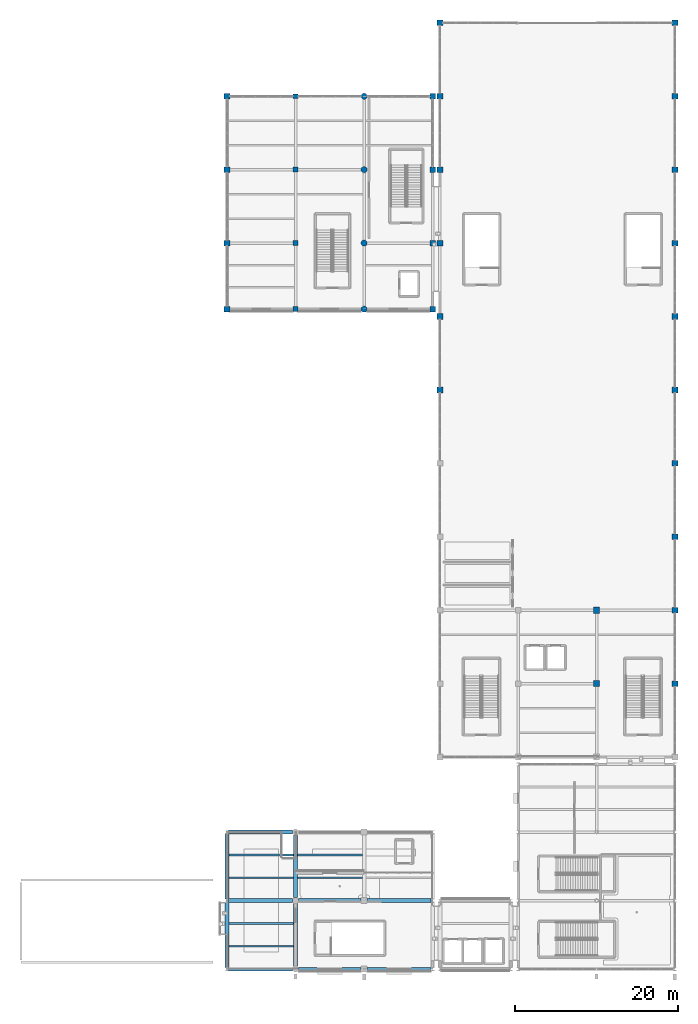
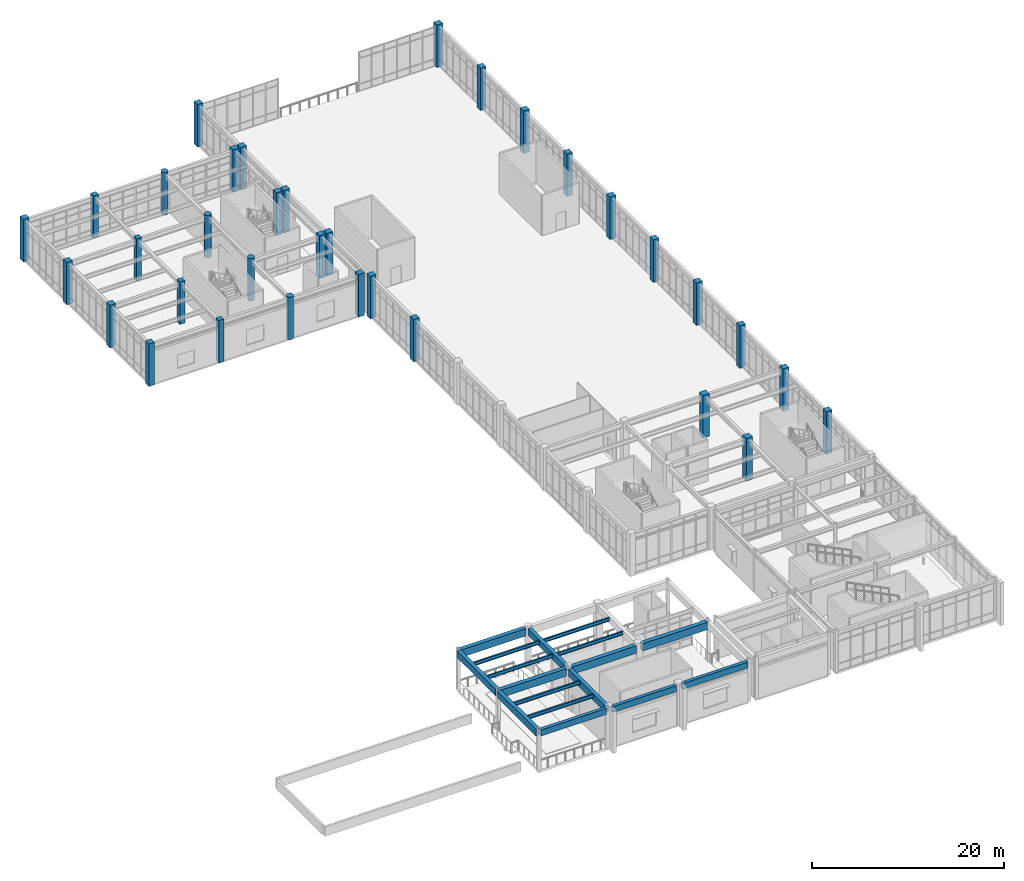
# One storey, part 4 of 80: 34 columns, 17 beams.
"""IFC4 building model written with IfcOpenShell, lengths in metres."""

from ifc_helpers import new_model, si_unit, direction, frame, origin, origin_2d, place, context, subcontext, project, spatial, rectangle, circle, i_section, extrude, material, material_profile, profile_set, type_object, element, save


model = new_model("IFC4")

# Units and contexts
model_context = context("Model", 3, precision=1e-05, world=origin(), true_north=direction((0.0, 1.0)))
body_context = subcontext(model_context, "Body", "Model", "MODEL_VIEW")
ifc_project = project(units=[si_unit("LENGTHUNIT", "METRE"), si_unit("AREAUNIT", "SQUARE_METRE"), si_unit("VOLUMEUNIT", "CUBIC_METRE"), si_unit("PLANEANGLEUNIT", "RADIAN"), si_unit("MASSUNIT", "GRAM", prefix="KILO")], contexts=[model_context])

# Site, building, storey
site_placement = place(None, origin())
site = spatial("IfcSite", under=ifc_project, at=site_placement, CompositionType="ELEMENT")
building_placement = place(site_placement, origin())
building = spatial("IfcBuilding", under=site, at=building_placement, Name="Canglan Escarpment Cableway Terminal", CompositionType="ELEMENT")
storey_placement = place(building_placement, frame((0.0, 0.0, 19.199951171875)))
storey = spatial("IfcBuildingStorey", under=building, at=storey_placement, Name="L04", CompositionType="ELEMENT", Elevation=19.199951171875)

# Columns
ifc_material_1 = material(Name="Concrete C40", Category="concrete")
ifc_material_profile_1 = material_profile(ifc_material_1, rectangle(XDim=0.60009765625, YDim=0.60009765625, at=origin_2d()), Name="RC 600x600")
ifc_profile_set_1 = profile_set([ifc_material_profile_1], Name="Concrete C40")
column_type_1 = type_object("IfcColumnType", Name="COL-RC600-C40", PredefinedType="COLUMN", material=ifc_profile_set_1)
for number, where, z_axis, x_axis, name in (
    (1, (119.89990234375, 88.89990234375, 0.0), (0.0, 0.0, 1.0), (1.0, 0.0, 0.0), "Structural column C-05"),
    (2, (119.89990234375, 97.0, 0.0), (0.0, 0.0, 1.0), (1.0, 0.0, 0.0), "Structural column C-05"),
    (3, (119.89990234375, 106.0, 0.0), (0.0, 0.0, 1.0), (1.0, 0.0, 0.0), "Structural column C-05"),
    (4, (119.89990234375, 115.0, 0.0), (0.0, 0.0, 1.0), (1.0, 0.0, 0.0), "Structural column C-05"),
):
    element("IfcColumn", number, at=place(storey_placement, frame(where, z_axis=z_axis, x_axis=x_axis)), inside=storey, type_object=column_type_1, Name=name, PredefinedType="COLUMN", context=body_context, shape_type="SweptSolid", body=[
        extrude(rectangle(XDim=0.60009765625, YDim=0.60009765625, at=origin_2d()), origin(), (0.0, 0.0, 1.0), 5.400146484375),
    ])
ifc_material_profile_2 = material_profile(ifc_material_1, rectangle(XDim=0.699951171875, YDim=0.699951171875, at=origin_2d()), Name="RC 700x700")
ifc_profile_set_2 = profile_set([ifc_material_profile_2], Name="Concrete C40")
column_type_2 = type_object("IfcColumnType", Name="COL-RC700-C40", PredefinedType="COLUMN", material=ifc_profile_set_2)
for number, where, z_axis, x_axis, name in (
    (5, (111.5, 88.89990234375, 0.0), (0.0, 0.0, 1.0), (1.0, 0.0, 0.0), "Structural column C-04"),
    (6, (111.5, 97.0, 0.0), (0.0, 0.0, 1.0), (1.0, 0.0, 0.0), "Structural column C-04"),
    (7, (111.5, 106.0, 0.0), (0.0, 0.0, 1.0), (1.0, 0.0, 0.0), "Structural column C-04"),
    (8, (111.5, 115.0, 0.0), (0.0, 0.0, 1.0), (1.0, 0.0, 0.0), "Structural column C-04"),
    (9, (136.699951171875, 88.89990234375, 0.0), (0.0, 0.0, 1.0), (1.0, 0.0, 0.0), "Structural column C-04"),
    (10, (136.699951171875, 97.0, 0.0), (0.0, 0.0, 1.0), (1.0, 0.0, 0.0), "Structural column C-04"),
    (11, (136.699951171875, 106.0, 0.0), (0.0, 0.0, 1.0), (1.0, 0.0, 0.0), "Structural column C-04"),
    (12, (136.699951171875, 115.0, 0.0), (0.0, 0.0, 1.0), (1.0, 0.0, 0.0), "Structural column C-04"),
    (13, (137.60009765625, 79.0, 0.0), (0.0, 0.0, 1.0), (1.0, 0.0, 0.0), "Structural column C-04"),
    (14, (137.60009765625, 88.0, 0.0), (0.0, 0.0, 1.0), (1.0, 0.0, 0.0), "Structural column C-04"),
    (15, (137.60009765625, 97.0, 0.0), (0.0, 0.0, 1.0), (1.0, 0.0, 0.0), "Structural column C-04"),
    (16, (137.60009765625, 106.0, 0.0), (0.0, 0.0, 1.0), (1.0, 0.0, 0.0), "Structural column C-04"),
    (17, (137.60009765625, 115.0, 0.0), (0.0, 0.0, 1.0), (1.0, 0.0, 0.0), "Structural column C-04"),
    (18, (137.60009765625, 124.0, 0.0), (0.0, 0.0, 1.0), (1.0, 0.0, 0.0), "Structural column C-04"),
    (19, (166.39990234375, 43.0, 0.0), (0.0, 0.0, 1.0), (1.0, 0.0, 0.0), "Structural column C-04"),
    (20, (166.39990234375, 52.0, 0.0), (0.0, 0.0, 1.0), (1.0, 0.0, 0.0), "Structural column C-04"),
    (21, (166.39990234375, 61.0, 0.0), (0.0, 0.0, 1.0), (1.0, 0.0, 0.0), "Structural column C-04"),
    (22, (166.39990234375, 70.0, 0.0), (0.0, 0.0, 1.0), (1.0, 0.0, 0.0), "Structural column C-04"),
    (23, (166.39990234375, 79.0, 0.0), (0.0, 0.0, 1.0), (1.0, 0.0, 0.0), "Structural column C-04"),
    (24, (166.39990234375, 88.0, 0.0), (0.0, 0.0, 1.0), (1.0, 0.0, 0.0), "Structural column C-04"),
    (25, (166.39990234375, 97.0, 0.0), (0.0, 0.0, 1.0), (1.0, 0.0, 0.0), "Structural column C-04"),
    (26, (166.39990234375, 106.0, 0.0), (0.0, 0.0, 1.0), (1.0, 0.0, 0.0), "Structural column C-04"),
    (27, (166.39990234375, 115.0, 0.0), (0.0, 0.0, 1.0), (1.0, 0.0, 0.0), "Structural column C-04"),
    (28, (166.39990234375, 124.0, 0.0), (0.0, 0.0, 1.0), (1.0, 0.0, 0.0), "Structural column C-04"),
):
    element("IfcColumn", number, at=place(storey_placement, frame(where, z_axis=z_axis, x_axis=x_axis)), inside=storey, type_object=column_type_2, Name=name, PredefinedType="COLUMN", context=body_context, shape_type="SweptSolid", body=[
        extrude(rectangle(XDim=0.699951171875, YDim=0.699951171875, at=origin_2d()), origin(), (0.0, 0.0, 1.0), 5.400146484375),
    ])
ifc_material_profile_3 = material_profile(ifc_material_1, rectangle(XDim=0.75, YDim=0.75, at=origin_2d()), Name="RC 750x750")
ifc_profile_set_3 = profile_set([ifc_material_profile_3], Name="Concrete C40")
column_type_3 = type_object("IfcColumnType", Name="COL-RC750-C40", PredefinedType="COLUMN", material=ifc_profile_set_3)
for number, where, z_axis, x_axis, name in (
    (29, (156.800048828125, 43.0, 0.0), (0.0, 0.0, 1.0), (1.0, 0.0, 0.0), "Structural column C-03"),
    (30, (156.800048828125, 52.0, 0.0), (0.0, 0.0, 1.0), (1.0, 0.0, 0.0), "Structural column C-03"),
):
    element("IfcColumn", number, at=place(storey_placement, frame(where, z_axis=z_axis, x_axis=x_axis)), inside=storey, type_object=column_type_3, Name=name, PredefinedType="COLUMN", context=body_context, shape_type="SweptSolid", body=[
        extrude(rectangle(XDim=0.75, YDim=0.75, at=origin_2d()), origin(), (0.0, 0.0, 1.0), 5.400146484375),
    ])
ifc_material_profile_4 = material_profile(ifc_material_1, circle(Radius=0.375, at=origin_2d()), Name="RC-CIRC D750")
ifc_profile_set_4 = profile_set([ifc_material_profile_4], Name="Concrete C40")
column_type_4 = type_object("IfcColumnType", Name="COL-RCC750-C40", PredefinedType="COLUMN", material=ifc_profile_set_4)
for number, where, z_axis, x_axis, name in (
    (31, (128.300048828125, 88.89990234375, 0.0), (0.0, 0.0, 1.0), (1.0, 0.0, 0.0), "Structural column C-07"),
    (32, (128.300048828125, 97.0, 0.0), (0.0, 0.0, 1.0), (1.0, 0.0, 0.0), "Structural column C-07"),
    (33, (128.300048828125, 106.0, 0.0), (0.0, 0.0, 1.0), (1.0, 0.0, 0.0), "Structural column C-07"),
    (34, (128.300048828125, 115.0, 0.0), (0.0, 0.0, 1.0), (1.0, 0.0, 0.0), "Structural column C-07"),
):
    element("IfcColumn", number, at=place(storey_placement, frame(where, z_axis=z_axis, x_axis=x_axis)), inside=storey, type_object=column_type_4, Name=name, PredefinedType="COLUMN", context=body_context, shape_type="SweptSolid", body=[
        extrude(circle(Radius=0.375, at=origin_2d()), origin(), (0.0, 0.0, 1.0), 5.400146484375),
    ])

# Beams
ifc_material_profile_5 = material_profile(ifc_material_1, rectangle(XDim=0.449951171875, YDim=0.85009765625, at=origin_2d()), Name="RC 450x850")
ifc_profile_set_5 = profile_set([ifc_material_profile_5], Name="Concrete C40")
beam_type_1 = type_object("IfcBeamType", Name="BM-RC450x850", PredefinedType="BEAM", material=ifc_profile_set_5)
for number, where, z_axis, x_axis, name in (
    (35, (111.5, 8.175048828125, 4.735107421875), (0.0, 1.0, 0.0), (-1.0, 0.0, 0.0), "Primary transverse girder B-02"),
    (36, (111.5, 16.574951171875, 4.735107421875), (0.0, 1.0, 0.0), (-1.0, 0.0, 0.0), "Primary transverse girder B-02"),
):
    element("IfcBeam", number, at=place(storey_placement, frame(where, z_axis=z_axis, x_axis=x_axis)), inside=storey, type_object=beam_type_1, Name=name, PredefinedType="BEAM", context=body_context, shape_type="SweptSolid", body=[
        extrude(rectangle(XDim=0.449951171875, YDim=0.85009765625, at=origin_2d()), origin(), (0.0, 0.0, 1.0), 8.050048828125),
    ])
beam_1_placement = place(storey_placement, frame((119.89990234375, 8.375, 4.68505859375), z_axis=(0.0, 1.0, 0.0), x_axis=(-1.0, 0.0, 0.0)))
element("IfcBeam", 37, at=beam_1_placement, inside=storey, type_object=beam_type_1, Name="Primary transverse girder B-02", PredefinedType="BEAM", context=body_context, shape_type="SweptSolid", body=[
    extrude(rectangle(XDim=0.449951171875, YDim=0.85009765625, at=origin_2d()), origin(), (0.0, 0.0, 1.0), 7.64990234375),
])
beam_2_placement = place(storey_placement, frame((119.89990234375, 16.77490234375, 4.735107421875), z_axis=(0.0, 1.0, 0.0), x_axis=(-1.0, 0.0, 0.0)))
element("IfcBeam", 38, at=beam_2_placement, inside=storey, type_object=beam_type_1, Name="Primary transverse girder B-02", PredefinedType="BEAM", context=body_context, shape_type="SweptSolid", body=[
    extrude(rectangle(XDim=0.449951171875, YDim=0.85009765625, at=origin_2d()), origin(), (0.0, 0.0, 1.0), 7.650146484375),
])
ifc_material_2 = material(Name="Concrete C50", Category="concrete")
ifc_material_profile_6 = material_profile(ifc_material_2, rectangle(XDim=0.5, YDim=0.949951171875, at=origin_2d()), Name="RC 500x950")
ifc_profile_set_6 = profile_set([ifc_material_profile_6], Name="Concrete C50")
beam_type_2 = type_object("IfcBeamType", Name="BM-RC500x950", PredefinedType="BEAM", material=ifc_profile_set_6)
beam_3_placement = place(storey_placement, frame((111.675048828125, 16.39990234375, 4.68505859375), z_axis=(1.0, 0.0, 0.0), x_axis=(0.0, 1.0, 0.0)))
element("IfcBeam", 39, at=beam_3_placement, inside=storey, type_object=beam_type_2, Name="Primary structural girder B-01", PredefinedType="BEAM", context=body_context, shape_type="SweptSolid", body=[
    extrude(rectangle(XDim=0.5, YDim=0.949951171875, at=origin_2d()), origin(), (0.0, 0.0, 1.0), 7.849853515625),
])
beam_4_placement = place(storey_placement, frame((120.27490234375, 16.39990234375, 4.635009765625), z_axis=(1.0, 0.0, 0.0), x_axis=(0.0, 1.0, 0.0)))
element("IfcBeam", 40, at=beam_4_placement, inside=storey, type_object=beam_type_2, Name="Primary structural girder B-01", PredefinedType="BEAM", context=body_context, shape_type="SweptSolid", body=[
    extrude(rectangle(XDim=0.5, YDim=0.949951171875, at=origin_2d()), origin(), (0.0, 0.0, 1.0), 7.650146484375),
])
for number, where, z_axis, x_axis, name in (
    (41, (128.675048828125, 16.39990234375, 4.635009765625), (1.0, 0.0, 0.0), (0.0, 1.0, 0.0), "Primary structural girder B-01"),
    (42, (111.675048828125, 24.800048828125, 4.68505859375), (1.0, 0.0, 0.0), (0.0, 1.0, 0.0), "Primary structural girder B-01"),
):
    element("IfcBeam", number, at=place(storey_placement, frame(where, z_axis=z_axis, x_axis=x_axis)), inside=storey, type_object=beam_type_2, Name=name, PredefinedType="BEAM", context=body_context, shape_type="SweptSolid", body=[
        extrude(rectangle(XDim=0.5, YDim=0.949951171875, at=origin_2d()), origin(), (0.0, 0.0, 1.0), 7.849853515625),
    ])
ifc_material_3 = material(Name="Steel Q355B", Category="steel")
ifc_material_profile_7 = material_profile(ifc_material_3, i_section(OverallWidth=0.199951171875, OverallDepth=0.449951171875, WebThickness=0.009033203125, FlangeThickness=0.013916015625, FilletRadius=0.01806640625, at=origin_2d()), Name="HN 450x200x9x14")
ifc_profile_set_7 = profile_set([ifc_material_profile_7], Name="Steel Q355B")
beam_type_3 = type_object("IfcBeamType", Name="JS-HN450", PredefinedType="JOIST", material=ifc_profile_set_7)
for number, where, z_axis, x_axis, name in (
    (43, (111.72509765625, 10.800048828125, 4.93505859375), (1.0, 0.0, 0.0), (0.0, 1.0, 0.0), "Secondary composite deck joist J-02"),
    (44, (111.72509765625, 13.60009765625, 4.93505859375), (1.0, 0.0, 0.0), (0.0, 1.0, 0.0), "Secondary composite deck joist J-02"),
    (45, (111.72509765625, 19.199951171875, 4.93505859375), (1.0, 0.0, 0.0), (0.0, 1.0, 0.0), "Secondary composite deck joist J-02"),
    (46, (111.72509765625, 22.0, 4.93505859375), (1.0, 0.0, 0.0), (0.0, 1.0, 0.0), "Secondary composite deck joist J-02"),
    (47, (120.125, 19.199951171875, 4.885009765625), (1.0, 0.0, 0.0), (0.0, 1.0, 0.0), "Secondary composite deck joist J-02"),
    (48, (120.125, 22.0, 4.93505859375), (1.0, 0.0, 0.0), (0.0, 1.0, 0.0), "Secondary composite deck joist J-02"),
):
    element("IfcBeam", number, at=place(storey_placement, frame(where, z_axis=z_axis, x_axis=x_axis)), inside=storey, type_object=beam_type_3, Name=name, PredefinedType="JOIST", context=body_context, shape_type="SweptSolid", body=[
        extrude(i_section(OverallWidth=0.199951171875, OverallDepth=0.449951171875, WebThickness=0.009033203125, FlangeThickness=0.013916015625, FilletRadius=0.01806640625, at=origin_2d()), origin(), (0.0, 0.0, 1.0), 7.949951171875),
    ])
ifc_material_profile_8 = material_profile(ifc_material_1, rectangle(XDim=0.39990234375, YDim=0.75, at=origin_2d()), Name="RC 400x750")
ifc_profile_set_8 = profile_set([ifc_material_profile_8], Name="Concrete C40")
beam_type_4 = type_object("IfcBeamType", Name="SP-RC400x750", PredefinedType="SPANDREL", material=ifc_profile_set_8)
beam_5_placement = place(storey_placement, frame((111.675048828125, 8.0, 4.78515625), z_axis=(1.0, 0.0, 0.0), x_axis=(0.0, 1.0, 0.0)))
element("IfcBeam", 49, at=beam_5_placement, inside=storey, type_object=beam_type_4, Name="Primary structural girder SP-01", PredefinedType="SPANDREL", context=body_context, shape_type="SweptSolid", body=[
    extrude(rectangle(XDim=0.39990234375, YDim=0.75, at=origin_2d()), origin(), (0.0, 0.0, 1.0), 7.849853515625),
])
beam_6_placement = place(storey_placement, frame((120.27490234375, 8.0, 4.735107421875), z_axis=(1.0, 0.0, 0.0), x_axis=(0.0, 1.0, 0.0)))
element("IfcBeam", 50, at=beam_6_placement, inside=storey, type_object=beam_type_4, Name="Primary structural girder SP-01", PredefinedType="SPANDREL", context=body_context, shape_type="SweptSolid", body=[
    extrude(rectangle(XDim=0.39990234375, YDim=0.75, at=origin_2d()), origin(), (0.0, 0.0, 1.0), 7.650146484375),
])
beam_7_placement = place(storey_placement, frame((128.675048828125, 8.0, 4.735107421875), z_axis=(1.0, 0.0, 0.0), x_axis=(0.0, 1.0, 0.0)))
element("IfcBeam", 51, at=beam_7_placement, inside=storey, type_object=beam_type_4, Name="Primary structural girder SP-01", PredefinedType="SPANDREL", context=body_context, shape_type="SweptSolid", body=[
    extrude(rectangle(XDim=0.39990234375, YDim=0.75, at=origin_2d()), origin(), (0.0, 0.0, 1.0), 7.849853515625),
])

save(model, "model.ifc")
